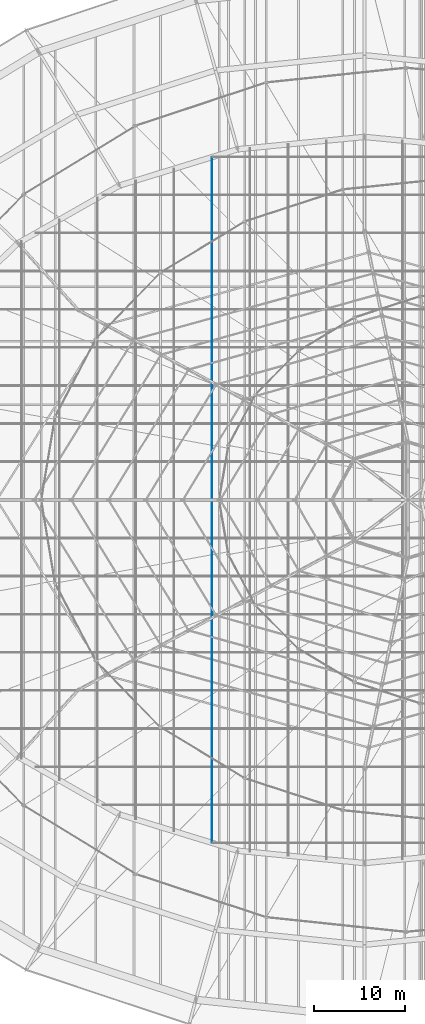
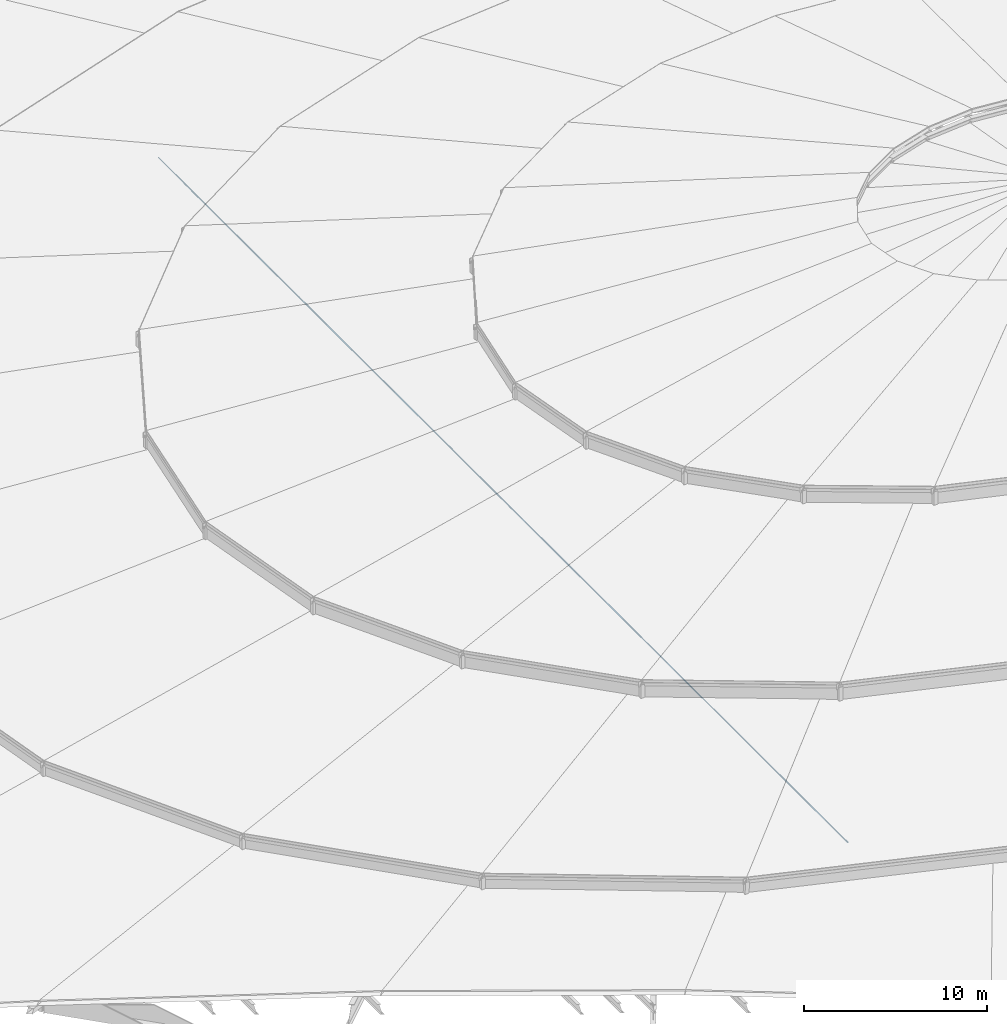
# One storey, part 26 of 184: 1 member.
"""IFC4 building model written with IfcOpenShell, lengths in metres."""

from ifc_helpers import new_model, si_unit, direction, frame, origin, origin_2d, place, context, subcontext, project, spatial, circle, extrude, material, material_profile, profile_set, type_object, element, save


model = new_model("IFC4")

# Units and contexts
model_context = context("Model", 3, precision=1e-05, world=origin(), true_north=direction((0.0, 1.0)))
body_context = subcontext(model_context, "Body", "Model", "MODEL_VIEW")
ifc_project = project(units=[si_unit("LENGTHUNIT", "METRE"), si_unit("AREAUNIT", "SQUARE_METRE"), si_unit("VOLUMEUNIT", "CUBIC_METRE"), si_unit("PLANEANGLEUNIT", "RADIAN"), si_unit("MASSUNIT", "GRAM", prefix="KILO")], contexts=[model_context])

# Site, building, storey
site_placement = place(None, origin())
site = spatial("IfcSite", under=ifc_project, at=site_placement, CompositionType="ELEMENT")
building_placement = place(site_placement, origin())
building = spatial("IfcBuilding", under=site, at=building_placement, Name="Kalgoora Escarpment Arena", CompositionType="ELEMENT")
storey_placement = place(building_placement, frame((0.0, 0.0, 27.60009765625)))
storey = spatial("IfcBuildingStorey", under=building, at=storey_placement, Name="Roof Level", CompositionType="ELEMENT", Elevation=27.60009765625)

# Member
ifc_material = material(Name="High-tensile spiral strand steel Grade 450 (350 MPa)", Category="steel")
ifc_material_profile = material_profile(ifc_material, circle(Radius=0.028076171875, at=origin_2d()))
ifc_profile_set = profile_set([ifc_material_profile], Name="High-tensile spiral strand steel Grade 450 (350 MPa)")
member_type = type_object("IfcMemberType", Name="MEM-CABLE-56", PredefinedType="USERDEFINED", material=ifc_profile_set)
member_placement = place(storey_placement, frame((75.60009765625, 26.2294921875, -1.190185546875), z_axis=(0.0, 1.0, 0.0), x_axis=(-1.0, 0.0, 0.0)))
element("IfcMember", 1, at=member_placement, inside=storey, type_object=member_type, Name="Roof saddle pretensioning cable Y-27", ObjectType="CABLE", PredefinedType="USERDEFINED", context=body_context, shape_type="SweptSolid", body=[
    extrude(circle(Radius=0.028076171875, at=origin_2d()), origin(), (0.0, 0.0, 1.0), 75.541015625),
])

save(model, "model.ifc")
